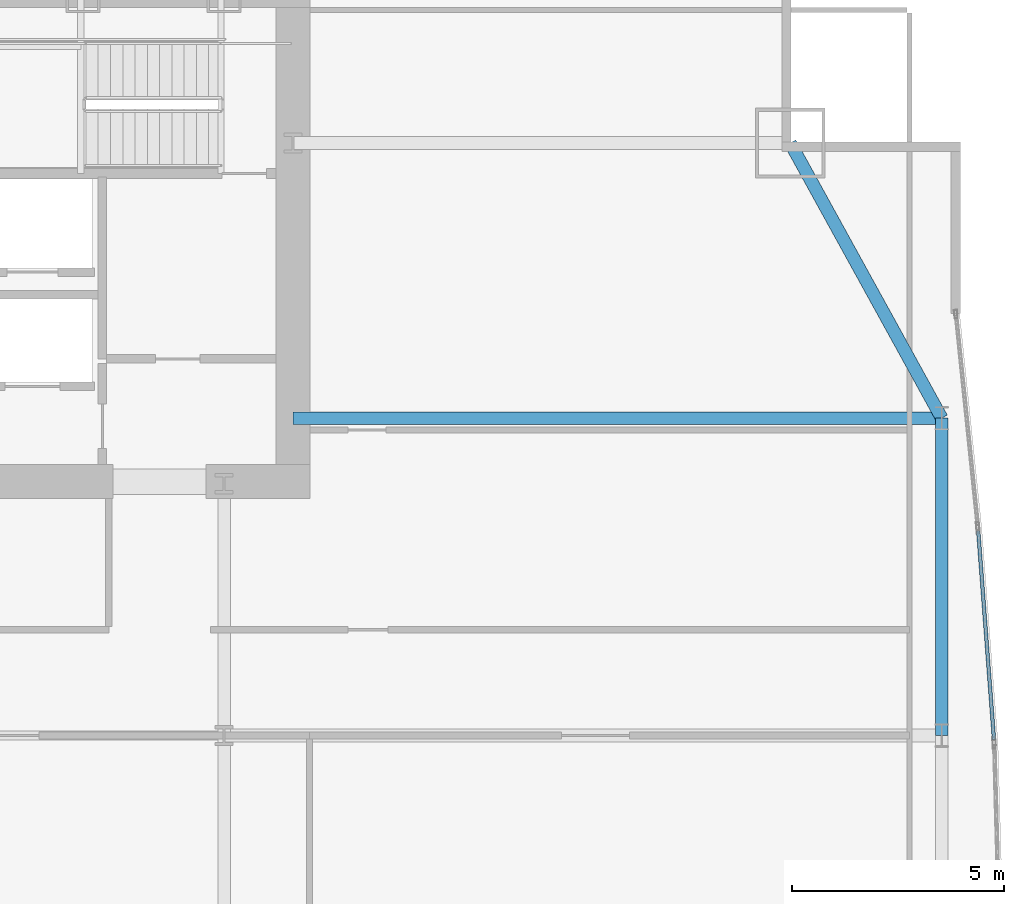
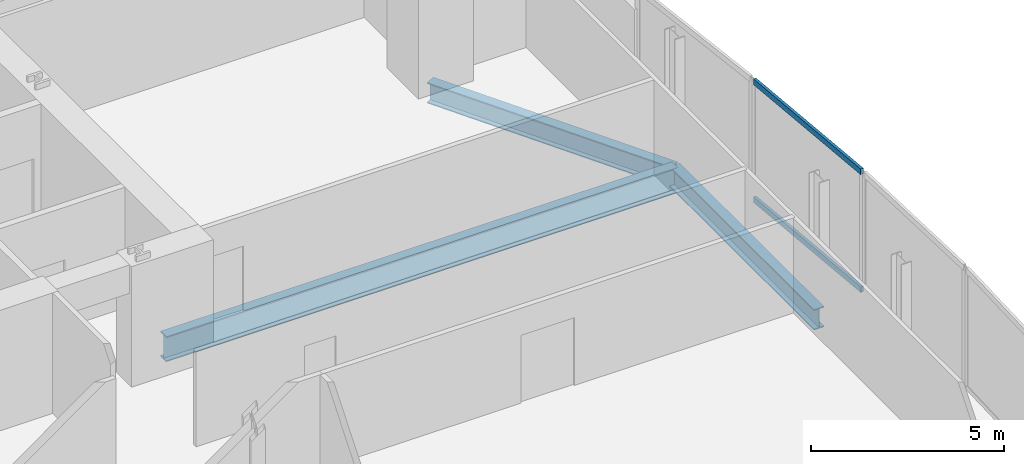
# One storey, part 23 of 32: 3 beams, 2 members, 1 element without a shape of its own.
"""IFC4 building model written with IfcOpenShell, lengths in metres."""

from ifc_helpers import new_model, si_unit, direction, frame, origin, origin_2d, place, context, subcontext, project, spatial, hollow_rectangle, i_section, extrude, material, material_profile, profile_set, type_object, element, aggregate, save


model = new_model("IFC4")

# Units and contexts
model_context = context("Model", 3, precision=1e-05, world=origin(), true_north=direction((0.0, 1.0)))
body_context = subcontext(model_context, "Body", "Model", "MODEL_VIEW")
ifc_project = project(units=[si_unit("LENGTHUNIT", "METRE"), si_unit("AREAUNIT", "SQUARE_METRE"), si_unit("VOLUMEUNIT", "CUBIC_METRE"), si_unit("PLANEANGLEUNIT", "RADIAN"), si_unit("MASSUNIT", "GRAM", prefix="KILO")], contexts=[model_context])

# Site, building, storey
site_placement = place(None, origin())
site = spatial("IfcSite", under=ifc_project, at=site_placement, CompositionType="ELEMENT")
building_placement = place(site_placement, origin())
building = spatial("IfcBuilding", under=site, at=building_placement, Name="Khoronbel Lancet Exchange", CompositionType="ELEMENT")
storey_placement = place(building_placement, frame((0.0, 0.0, 29.800048828125)))
storey = spatial("IfcBuildingStorey", under=building, at=storey_placement, Name="L06", CompositionType="ELEMENT", Elevation=29.800048828125)

# Beams
ifc_material_1 = material(Name="Steel S355", Category="steel")
ifc_material_profile_1 = material_profile(ifc_material_1, i_section(OverallWidth=0.300048828125, OverallDepth=0.800048828125, WebThickness=0.017578125, FlangeThickness=0.032958984375, at=origin_2d()), Name="HEB 800")
ifc_profile_set_1 = profile_set([ifc_material_profile_1], Name="Steel S355")
beam_type_1 = type_object("IfcBeamType", Name="BM-BG2", PredefinedType="BEAM", material=ifc_profile_set_1)
beam_1_placement = place(storey_placement, frame((56.300048828125, 43.199951171875, -0.580078125), z_axis=(1.0, 0.0, 0.0), x_axis=(0.0, 1.0, 0.0)))
element("IfcBeam", 1, at=beam_1_placement, inside=storey, type_object=beam_type_1, Name="Level L06 east lens tie girder LG3E", PredefinedType="BEAM", context=body_context, shape_type="SweptSolid", body=[
    extrude(i_section(OverallWidth=0.300048828125, OverallDepth=0.800048828125, WebThickness=0.017578125, FlangeThickness=0.032958984375, at=origin_2d()), origin(), (0.0, 0.0, 1.0), 15.329833984375),
])
ifc_material_profile_2 = material_profile(ifc_material_1, i_section(OverallWidth=0.300048828125, OverallDepth=0.64990234375, WebThickness=0.01611328125, FlangeThickness=0.031005859375, at=origin_2d()), Name="HEB 650")
ifc_profile_set_2 = profile_set([ifc_material_profile_2], Name="Steel S355")
beam_type_2 = type_object("IfcBeamType", Name="BM-BSP1", PredefinedType="SPANDREL", material=ifc_profile_set_2)
beam_2_placement = place(storey_placement, frame((71.6298828125, 35.699951171875, -0.505126953125), z_axis=(0.0, 1.0, 0.0), x_axis=(-1.0, 0.0, 0.0)))
element("IfcBeam", 2, at=beam_2_placement, inside=storey, type_object=beam_type_2, Name="Level L06 perimeter spandrel beam SP14", PredefinedType="SPANDREL", context=body_context, shape_type="SweptSolid", body=[
    extrude(i_section(OverallWidth=0.300048828125, OverallDepth=0.64990234375, WebThickness=0.01611328125, FlangeThickness=0.031005859375, at=origin_2d()), origin(), (0.0, 0.0, 1.0), 7.5),
])
beam_3_placement = place(storey_placement, frame((71.6298828125, 43.199951171875, -0.505126953125), z_axis=(-0.482418808117, 0.875940690672, 0.0), x_axis=(-0.875940690672, -0.482418808117, 0.0)))
element("IfcBeam", 3, at=beam_3_placement, inside=storey, type_object=beam_type_2, Name="Level L06 perimeter spandrel beam SP15", PredefinedType="SPANDREL", context=body_context, shape_type="SweptSolid", body=[
    extrude(i_section(OverallWidth=0.300048828125, OverallDepth=0.64990234375, WebThickness=0.01611328125, FlangeThickness=0.031005859375, at=origin_2d()), origin(), (0.0, 0.0, 1.0), 7.420654296875),
])

# Curtain wall, members
ifc_material_2 = material(Name="Low-E Solar Control Insulating Glass", Category="glass")
curtain_wall_type = type_object("IfcCurtainWallType", Name="CW-4", PredefinedType="NOTDEFINED", material=ifc_material_2)
curtain_wall_placement = place(storey_placement, origin())
curtain_wall = element("IfcCurtainWall", 4, at=curtain_wall_placement, inside=storey, type_object=curtain_wall_type, Name="Unitised curtain wall CW-L06-E18", PredefinedType="NOTDEFINED")
ifc_material_3 = material(Name="Bronze-Anodised Aluminium 6063-T6", Category="aluminium")
ifc_material_profile_3 = material_profile(ifc_material_3, hollow_rectangle(XDim=0.0849609375, YDim=0.179931640625, WallThickness=0.0048828125, at=origin_2d()), Name="ALU TRANSOM 85x180")
ifc_profile_set_3 = profile_set([ifc_material_profile_3], Name="Bronze-Anodised Aluminium 6063-T6")
member_type = type_object("IfcMemberType", Name="MEM-CWT1", PredefinedType="USERDEFINED", material=ifc_profile_set_3)
member_1_placement = place(storey_placement, frame((72.490966796875, 40.533935546875, 0.04248046875), z_axis=(0.07539754774, -0.997153553769, 0.0), x_axis=(0.997153553769, 0.07539754774, 0.0)))
member_1 = element("IfcMember", 5, at=member_1_placement, type_object=member_type, Name="CW4 transom 1.1", ObjectType="TRANSOM", PredefinedType="USERDEFINED", context=body_context, shape_type="SweptSolid", body=[
    extrude(hollow_rectangle(XDim=0.0849609375, YDim=0.179931640625, WallThickness=0.0048828125, at=origin_2d()), origin(), (0.0, 0.0, 1.0), 4.944580078125),
])
member_2_placement = place(storey_placement, frame((72.490966796875, 40.533935546875, 3.77734375), z_axis=(0.07539754774, -0.997153553769, 0.0), x_axis=(0.997153553769, 0.07539754774, 0.0)))
member_2 = element("IfcMember", 6, at=member_2_placement, type_object=member_type, Name="CW4 transom 1.2", ObjectType="TRANSOM", PredefinedType="USERDEFINED", context=body_context, shape_type="SweptSolid", body=[
    extrude(hollow_rectangle(XDim=0.0849609375, YDim=0.179931640625, WallThickness=0.0048828125, at=origin_2d()), origin(), (0.0, 0.0, 1.0), 4.944580078125),
])
aggregate(curtain_wall, [member_1, member_2])

save(model, "model.ifc")
